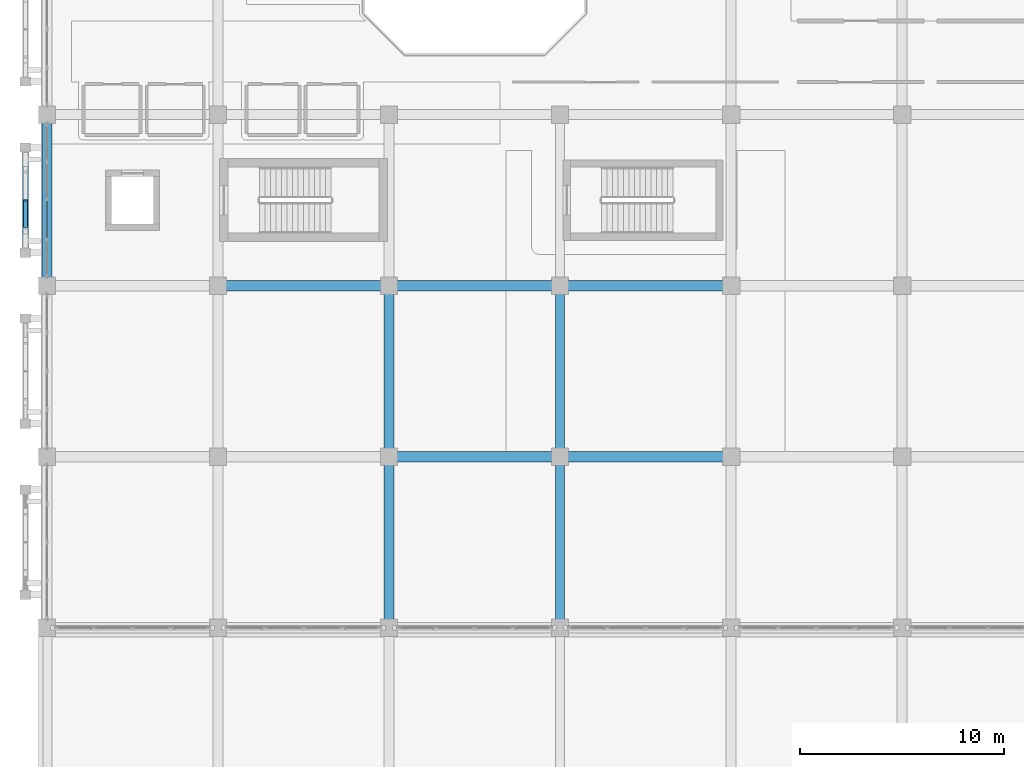
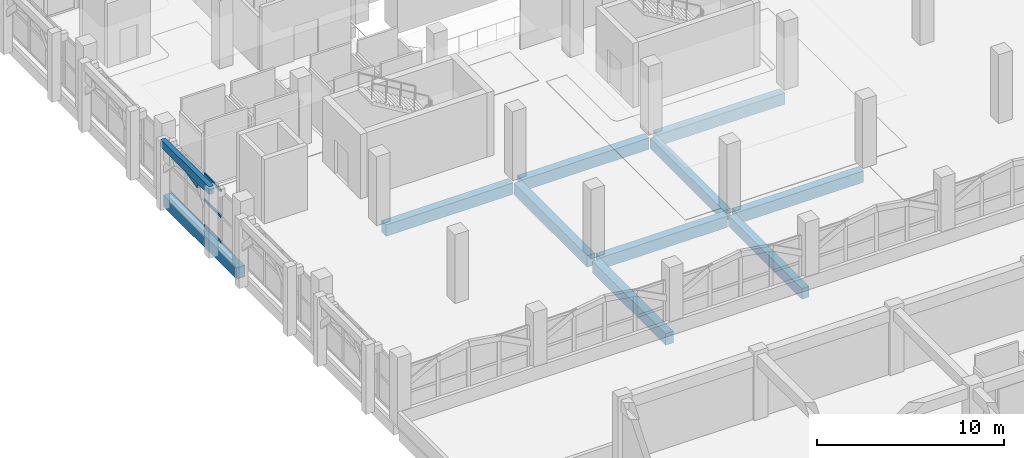
# One storey, part 43 of 129: 11 beams, 4 members, 1 element without a shape of its own.
"""IFC4 building model written with IfcOpenShell, lengths in metres."""

import ifcopenshell
import ifcopenshell.guid

model = None  # the IFC model being written
_history = None  # IfcOwnerHistory: only IFC2X3 demands one
_inside = {}  # id of a spatial element -> (the spatial element, [elements in it])
_under = {}  # id of a project, library or spatial element -> (it, [spatial elements below it])
_declared = {}  # id of a project -> (the project, [libraries it declares])
_typed = {}  # id of a type object -> (the type object, [elements of that type])
_made_of = {}  # id of a material, layer set ... -> (it, [elements and type objects made of it])


def new_model(schema):
    """Start an empty IFC model of exactly this schema.

    Asked for "IFC4X3", IfcOpenShell would pick the latest addendum, in which some entities
    have other attributes; the version numbers below select the first issue.
    IFC2X3 requires an IfcOwnerHistory on every rooted entity: one is made here for all.
    """
    global model, _history
    if schema == "IFC4X3":
        model = ifcopenshell.file(schema_version=(4, 3, 0, 0))
    else:
        model = ifcopenshell.file(schema=schema)
    _inside.clear()
    _under.clear()
    _declared.clear()
    _typed.clear()
    _made_of.clear()
    _history = None
    if model.schema == "IFC2X3":
        org = make("IfcOrganization", Name="unknown")
        user = make(
            "IfcPersonAndOrganization",
            ThePerson=make("IfcPerson", FamilyName="unknown"),
            TheOrganization=org,
        )
        app = make(
            "IfcApplication",
            ApplicationDeveloper=org,
            Version="unknown",
            ApplicationFullName="unknown",
            ApplicationIdentifier="unknown",
        )
        _history = make(
            "IfcOwnerHistory",
            OwningUser=user,
            OwningApplication=app,
            ChangeAction="ADDED",
            CreationDate=0,
        )
    return model


def make(cls, **values):
    """One entity of the class cls with the attributes given. An attribute that is None is left unset."""
    return model.create_entity(
        cls, **{name: value for name, value in values.items() if value is not None}
    )


def rooted(cls, **values):
    """An entity with a GlobalId (a new one), such as an element, a storey or a relation."""
    return make(cls, GlobalId=ifcopenshell.guid.new(), OwnerHistory=_history, **values)


def si_unit(unit_type, name, prefix=None):
    """IfcSIUnit, for example si_unit("LENGTHUNIT", "METRE", prefix="MILLI")."""
    return make("IfcSIUnit", UnitType=unit_type, Prefix=prefix, Name=name)


def assignment(units):
    """IfcUnitAssignment: the units of a project."""
    return None if units is None else make("IfcUnitAssignment", Units=units)


def point(xyz):
    """IfcCartesianPoint."""
    return None if xyz is None else make("IfcCartesianPoint", Coordinates=xyz)


def direction(xyz):
    """IfcDirection."""
    return None if xyz is None else make("IfcDirection", DirectionRatios=xyz)


def frame(location, z_axis=None, x_axis=None):
    """IfcAxis2Placement3D, a coordinate frame: its origin and axes. An axis left out is left unset."""
    return make(
        "IfcAxis2Placement3D",
        Location=point(location),
        Axis=direction(z_axis),
        RefDirection=direction(x_axis),
    )


def frame_2d(location, x_axis=None):
    """IfcAxis2Placement2D, a coordinate frame in the plane: its origin and x axis."""
    return make(
        "IfcAxis2Placement2D", Location=point(location), RefDirection=direction(x_axis)
    )


def origin():
    """The frame at (0, 0, 0) with its axes left unset."""
    return frame((0.0, 0.0, 0.0))


def origin_2d():
    """The frame at (0, 0) in the plane with its x axis left unset."""
    return frame_2d((0.0, 0.0))


def place(relative_to, where):
    """IfcLocalPlacement: puts the frame where relative to a parent placement (None: the world)."""
    return make(
        "IfcLocalPlacement", PlacementRelTo=relative_to, RelativePlacement=where
    )


def context(
    kind, dimensions, precision=None, world=None, true_north=None, identifier=None
):
    """IfcGeometricRepresentationContext, for example the 3D "Model" context."""
    return make(
        "IfcGeometricRepresentationContext",
        ContextIdentifier=identifier,
        ContextType=kind,
        CoordinateSpaceDimension=dimensions,
        Precision=precision,
        WorldCoordinateSystem=world,
        TrueNorth=true_north,
    )


def subcontext(parent, identifier, kind, view, scale=None):
    """IfcGeometricRepresentationSubContext, for example "Body" below "Model"."""
    return make(
        "IfcGeometricRepresentationSubContext",
        ContextIdentifier=identifier,
        ContextType=kind,
        ParentContext=parent,
        TargetScale=scale,
        TargetView=view,
    )


def project(units=None, contexts=None):
    """IfcProject with its units and contexts."""
    return rooted(
        "IfcProject",
        Name="project",
        RepresentationContexts=contexts,
        UnitsInContext=assignment(units),
    )


def spatial(cls, under=None, at=None, **own):
    """A site, building, storey or space (cls), placed at a placement, below another one or the project."""
    s = rooted(cls, ObjectPlacement=at, **own)
    if under is not None:
        _under.setdefault(under.id(), (under, []))[1].append(s)
    return s


def profile(cls, at=None, kind="AREA", **sizes):
    """A parametric profile (cls). Its sizes go by their IFC names, for example OverallWidth=200.0."""
    return make(cls, ProfileType=kind, Position=at, **sizes)


def rectangle(**sizes):
    """IfcRectangleProfileDef."""
    return profile("IfcRectangleProfileDef", **sizes)


def hollow_rectangle(**sizes):
    """IfcRectangleHollowProfileDef."""
    return profile("IfcRectangleHollowProfileDef", **sizes)


def extrude(swept, where, along, depth):
    """IfcExtrudedAreaSolid: the profile swept, set in the frame where, extruded along a direction by depth."""
    return make(
        "IfcExtrudedAreaSolid",
        SweptArea=swept,
        Position=where,
        ExtrudedDirection=direction(along),
        Depth=depth,
    )


def shape(context_of_items, identifier, shape_type, items):
    """IfcShapeRepresentation: the items that make up one representation, for example the "Body"."""
    return make(
        "IfcShapeRepresentation",
        ContextOfItems=context_of_items,
        RepresentationIdentifier=identifier,
        RepresentationType=shape_type,
        Items=items,
    )


def material(Name=None, Category=None):
    """IfcMaterial."""
    return make("IfcMaterial", Name=Name, Category=Category)


def layer(
    of_material, thickness, ventilated=None, Name=None, Category=None, Priority=None
):
    """IfcMaterialLayer: one layer of a wall or slab, of a material (None: an air gap)."""
    return make(
        "IfcMaterialLayer",
        Material=of_material,
        LayerThickness=thickness,
        IsVentilated=ventilated,
        Name=Name,
        Category=Category,
        Priority=Priority,
    )


def layer_set(layers, Name=None):
    """IfcMaterialLayerSet."""
    return make("IfcMaterialLayerSet", MaterialLayers=layers, LayerSetName=Name)


def material_profile(
    of_material, cross_section, Name=None, Category=None, Priority=None
):
    """IfcMaterialProfile: a cross section and its material."""
    return make(
        "IfcMaterialProfile",
        Name=Name,
        Material=of_material,
        Profile=cross_section,
        Priority=Priority,
        Category=Category,
    )


def profile_set(profiles, Name=None, composite=None):
    """IfcMaterialProfileSet."""
    return make(
        "IfcMaterialProfileSet",
        Name=Name,
        MaterialProfiles=profiles,
        CompositeProfile=composite,
    )


def made_of(thing, what):
    """Note that an element or type object is made of a material, layer set ...; save() writes the relation."""
    if what is not None:
        _made_of.setdefault(what.id(), (what, []))[1].append(thing)
    return thing


def type_object(cls, material=None, **own):
    """A type object (cls), such as IfcWallType, which elements share."""
    return made_of(rooted(cls, **own), material)


def element(
    cls,
    number,
    at=None,
    inside=None,
    cuts=None,
    type_object=None,
    material=None,
    context=None,
    identifier="Body",
    shape_type=None,
    held_by="IfcProductDefinitionShape",
    body=None,
    shapes=None,
    **own,
):
    """One element of the class cls, such as IfcWall. Its Tag is "e" and its number.

    at: its placement. inside: the storey or other place that contains it. cuts: it is an
    opening in that element (IfcRelVoidsElement). A single representation is given by context,
    identifier, shape_type and body (its items); several are given by shapes. held_by: the class
    of the entity that holds the representations. save() writes the other relations.
    """
    e = rooted(cls, Tag="e%d" % number, ObjectPlacement=at, **own)
    if body is not None:
        shapes = [shape(context, identifier, shape_type, body)]
    if shapes is not None:
        e.Representation = make(held_by, Representations=shapes)
    if inside is not None:
        _inside.setdefault(inside.id(), (inside, []))[1].append(e)
    if cuts is not None:
        rooted(
            "IfcRelVoidsElement", RelatingBuildingElement=cuts, RelatedOpeningElement=e
        )
    if type_object is not None:
        _typed.setdefault(type_object.id(), (type_object, []))[1].append(e)
    return made_of(e, material)


def aggregate(whole, parts):
    """IfcRelAggregates: a whole, such as a stair, and the parts it consists of."""
    return rooted("IfcRelAggregates", RelatingObject=whole, RelatedObjects=parts)


def save(model, path):
    """Write the relations noted so far, then the file.

    IfcRelAggregates (storeys below a building ...), IfcRelContainedInSpatialStructure (elements
    in a storey), IfcRelDefinesByType, IfcRelAssociatesMaterial and IfcRelDeclares: one each for
    every whole, place, type object, material and project.
    """
    for whole, parts in _under.values():
        aggregate(whole, parts)
    for where, things in _inside.values():
        rooted(
            "IfcRelContainedInSpatialStructure",
            RelatedElements=things,
            RelatingStructure=where,
        )
    for kind, things in _typed.values():
        rooted("IfcRelDefinesByType", RelatedObjects=things, RelatingType=kind)
    for what, things in _made_of.values():
        rooted("IfcRelAssociatesMaterial", RelatedObjects=things, RelatingMaterial=what)
    for by, libraries in _declared.values():
        rooted("IfcRelDeclares", RelatingContext=by, RelatedDefinitions=libraries)
    model.write(path)


model = new_model("IFC4")

# Units and contexts
model_context = context("Model", 3, precision=1e-05, world=origin(), true_north=direction((0.0, 1.0)))
body_context = subcontext(model_context, "Body", "Model", "MODEL_VIEW")
ifc_project = project(units=[si_unit("LENGTHUNIT", "METRE"), si_unit("AREAUNIT", "SQUARE_METRE"), si_unit("VOLUMEUNIT", "CUBIC_METRE"), si_unit("PLANEANGLEUNIT", "RADIAN"), si_unit("MASSUNIT", "GRAM", prefix="KILO")], contexts=[model_context])

# Site, building, storey
site_placement = place(None, origin())
site = spatial("IfcSite", under=ifc_project, at=site_placement, CompositionType="ELEMENT")
building_placement = place(site_placement, origin())
building = spatial("IfcBuilding", under=site, at=building_placement, Name="Xazarin Passage Department Store", CompositionType="ELEMENT")
storey_placement = place(building_placement, frame((0.0, 0.0, 9.89990234375)))
storey = spatial("IfcBuildingStorey", under=building, at=storey_placement, Name="L02", CompositionType="ELEMENT", Elevation=9.89990234375)

# Curtain wall, members
ifc_material_1 = material(Name="Bronze anodised aluminium", Category="aluminium")
ifc_layer = layer(ifc_material_1, 0.199951171875)
ifc_layer_set = layer_set([ifc_layer], Name="Bronze anodised aluminium")
curtain_wall_type = type_object("IfcCurtainWallType", Name="ARC-CW-VIT2", PredefinedType="NOTDEFINED", material=ifc_layer_set)
curtain_wall_placement = place(storey_placement, origin())
curtain_wall = element("IfcCurtainWall", 1, at=curtain_wall_placement, inside=storey, type_object=curtain_wall_type, Name="L02 V1 Curtain Wall 047", PredefinedType="NOTDEFINED")
ifc_material_profile_1 = material_profile(ifc_material_1, hollow_rectangle(XDim=0.074951171875, YDim=0.159912109375, WallThickness=0.00439453125, at=origin_2d()), Name="ALU 75x160")
ifc_profile_set_1 = profile_set([ifc_material_profile_1], Name="Bronze anodised aluminium")
member_type_1 = type_object("IfcMemberType", Name="ARC-CWT-75x160", PredefinedType="USERDEFINED", material=ifc_profile_set_1)
member_1_placement = place(storey_placement, frame((0.0, 78.75, 0.03759765625), z_axis=(0.0, 1.0, 0.0), x_axis=(-1.0, 0.0, 0.0)))
member_1 = element("IfcMember", 2, at=member_1_placement, type_object=member_type_1, Name="CW2 transom 2.1", ObjectType="TRANSOM", PredefinedType="USERDEFINED", context=body_context, shape_type="SweptSolid", body=[
    extrude(hollow_rectangle(XDim=0.074951171875, YDim=0.159912109375, WallThickness=0.00439453125, at=origin_2d()), origin(), (0.0, 0.0, 1.0), 1.8125),
])
member_2_placement = place(storey_placement, frame((0.0, 78.75, 1.72509765625), z_axis=(0.0, 1.0, 0.0), x_axis=(-1.0, 0.0, 0.0)))
member_2 = element("IfcMember", 3, at=member_2_placement, type_object=member_type_1, Name="CW2 transom 2.2", ObjectType="TRANSOM", PredefinedType="USERDEFINED", context=body_context, shape_type="SweptSolid", body=[
    extrude(hollow_rectangle(XDim=0.074951171875, YDim=0.159912109375, WallThickness=0.00439453125, at=origin_2d()), origin(), (0.0, 0.0, 1.0), 1.8125),
])
member_3_placement = place(storey_placement, frame((0.0, 78.75, 3.41259765625), z_axis=(0.0, 1.0, 0.0), x_axis=(-1.0, 0.0, 0.0)))
member_3 = element("IfcMember", 4, at=member_3_placement, type_object=member_type_1, Name="CW2 transom 2.3", ObjectType="TRANSOM", PredefinedType="USERDEFINED", context=body_context, shape_type="SweptSolid", body=[
    extrude(hollow_rectangle(XDim=0.074951171875, YDim=0.159912109375, WallThickness=0.00439453125, at=origin_2d()), origin(), (0.0, 0.0, 1.0), 1.8125),
])
aggregate(curtain_wall, [member_1, member_2, member_3])

# Beams
ifc_material_2 = material(Name="Concrete C35/45", Category="concrete")
ifc_material_profile_2 = material_profile(ifc_material_2, rectangle(XDim=0.449951171875, YDim=0.699951171875, at=origin_2d()), Name="RC 450x700")
ifc_profile_set_2 = profile_set([ifc_material_profile_2], Name="Concrete C35/45")
beam_type_1 = type_object("IfcBeamType", Name="STR-BM-G450x700", PredefinedType="BEAM", material=ifc_profile_set_2)
for number, where, z_axis, x_axis, name in (
    (5, (25.199951171875, 59.8798828125, -0.64990234375), (0.0, 1.0, 0.0), (-1.0, 0.0, 0.0), "L02 Grid Beam 4/J-K"),
    (6, (25.199951171875, 68.280029296875, -0.64990234375), (0.0, 1.0, 0.0), (-1.0, 0.0, 0.0), "L02 Grid Beam 4/K-L"),
):
    element("IfcBeam", number, at=place(storey_placement, frame(where, z_axis=z_axis, x_axis=x_axis)), inside=storey, type_object=beam_type_1, Name=name, PredefinedType="BEAM", context=body_context, shape_type="SweptSolid", body=[
        extrude(rectangle(XDim=0.449951171875, YDim=0.699951171875, at=origin_2d()), origin(), (0.0, 0.0, 1.0), 7.840087890625),
    ])
ifc_material_profile_3 = material_profile(ifc_material_2, rectangle(XDim=0.300048828125, YDim=0.5, at=origin_2d()), Name="RC 300x500")
ifc_profile_set_3 = profile_set([ifc_material_profile_3], Name="Concrete C35/45")
beam_type_2 = type_object("IfcBeamType", Name="STR-BM-LN300x500", PredefinedType="LINTEL", material=ifc_profile_set_3)
beam_1_placement = place(storey_placement, frame((-1.050048828125, 78.02001953125, 4.25), z_axis=(0.0, 1.0, 0.0), x_axis=(-1.0, 0.0, 0.0)))
element("IfcBeam", 7, at=beam_1_placement, inside=storey, type_object=beam_type_2, Name="L02 V1 Colonnade Spandrel Beam 011", PredefinedType="LINTEL", context=body_context, shape_type="SweptSolid", body=[
    extrude(rectangle(XDim=0.300048828125, YDim=0.5, at=origin_2d()), origin(), (0.0, 0.0, 1.0), 5.159912109375),
])
ifc_material_profile_4 = material_profile(ifc_material_2, rectangle(XDim=0.5, YDim=0.75, at=origin_2d()), Name="RC 500x750")
ifc_profile_set_4 = profile_set([ifc_material_profile_4], Name="Concrete C35/45")
beam_type_3 = type_object("IfcBeamType", Name="STR-BM-SP500x750", PredefinedType="SPANDREL", material=ifc_profile_set_4)
beam_2_placement = place(storey_placement, frame((17.080078125, 68.0, -0.6748046875), z_axis=(1.0, 0.0, 0.0), x_axis=(0.0, 1.0, 0.0)))
element("IfcBeam", 8, at=beam_2_placement, inside=storey, type_object=beam_type_3, Name="L02 Grid Beam K/3-4", PredefinedType="SPANDREL", context=body_context, shape_type="SweptSolid", body=[
    extrude(rectangle(XDim=0.5, YDim=0.75, at=origin_2d()), origin(), (0.0, 0.0, 1.0), 7.83984375),
])
for number, where, z_axis, x_axis, name in (
    (9, (25.47998046875, 68.0, -0.6748046875), (1.0, 0.0, 0.0), (0.0, 1.0, 0.0), "L02 Grid Beam K/4-5"),
    (10, (8.679931640625, 76.39990234375, -0.6748046875), (1.0, 0.0, 0.0), (0.0, 1.0, 0.0), "L02 Grid Beam L/2-3"),
):
    element("IfcBeam", number, at=place(storey_placement, frame(where, z_axis=z_axis, x_axis=x_axis)), inside=storey, type_object=beam_type_3, Name=name, PredefinedType="SPANDREL", context=body_context, shape_type="SweptSolid", body=[
        extrude(rectangle(XDim=0.5, YDim=0.75, at=origin_2d()), origin(), (0.0, 0.0, 1.0), 7.840087890625),
    ])
beam_3_placement = place(storey_placement, frame((17.080078125, 76.39990234375, -0.6748046875), z_axis=(1.0, 0.0, 0.0), x_axis=(0.0, 1.0, 0.0)))
element("IfcBeam", 11, at=beam_3_placement, inside=storey, type_object=beam_type_3, Name="L02 Grid Beam L/3-4", PredefinedType="SPANDREL", context=body_context, shape_type="SweptSolid", body=[
    extrude(rectangle(XDim=0.5, YDim=0.75, at=origin_2d()), origin(), (0.0, 0.0, 1.0), 7.83984375),
])
for number, where, z_axis, x_axis, name in (
    (12, (25.47998046875, 76.39990234375, -0.6748046875), (1.0, 0.0, 0.0), (0.0, 1.0, 0.0), "L02 Grid Beam L/4-5"),
    (13, (0.0, 76.679931640625, -0.6748046875), (0.0, 1.0, 0.0), (-1.0, 0.0, 0.0), "L02 Grid Beam 1/L-M"),
    (14, (16.800048828125, 59.8798828125, -0.6748046875), (0.0, 1.0, 0.0), (-1.0, 0.0, 0.0), "L02 Grid Beam 3/J-K"),
    (15, (16.800048828125, 68.280029296875, -0.6748046875), (0.0, 1.0, 0.0), (-1.0, 0.0, 0.0), "L02 Grid Beam 3/K-L"),
):
    element("IfcBeam", number, at=place(storey_placement, frame(where, z_axis=z_axis, x_axis=x_axis)), inside=storey, type_object=beam_type_3, Name=name, PredefinedType="SPANDREL", context=body_context, shape_type="SweptSolid", body=[
        extrude(rectangle(XDim=0.5, YDim=0.75, at=origin_2d()), origin(), (0.0, 0.0, 1.0), 7.840087890625),
    ])

# Member
ifc_material_3 = material(Name="Concrete C40/50", Category="concrete")
ifc_material_profile_5 = material_profile(ifc_material_3, rectangle(XDim=0.199951171875, YDim=0.360107421875, at=origin_2d()), Name="RC 200x360")
ifc_profile_set_5 = profile_set([ifc_material_profile_5], Name="Concrete C40/50")
member_type_2 = type_object("IfcMemberType", Name="STR-MEM-ARC360", PredefinedType="CHORD", material=ifc_profile_set_5)
member_4_placement = place(storey_placement, frame((-1.050048828125, 79.31005859375, 3.7705078125), z_axis=(0.0, 0.972393983317, 0.233345111818), x_axis=(-1.0, 0.0, 0.0)))
element("IfcMember", 16, at=member_4_placement, inside=storey, type_object=member_type_2, Name="L02 V1 Pierced Lattice Curved Arch 011.2", PredefinedType="CHORD", context=body_context, shape_type="SweptSolid", body=[
    extrude(rectangle(XDim=0.199951171875, YDim=0.360107421875, at=origin_2d()), origin(), (0.0, 0.0, 1.0), 1.32666015625),
])

save(model, "model.ifc")
